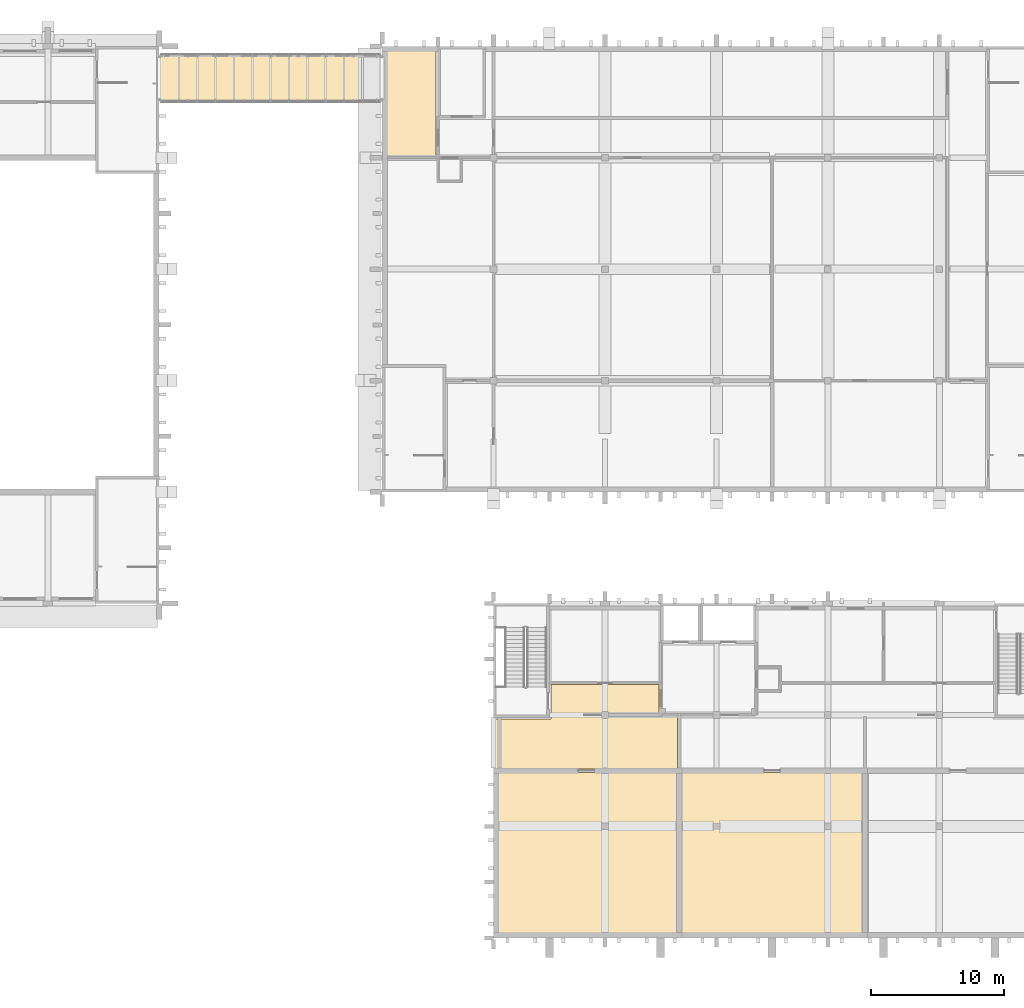
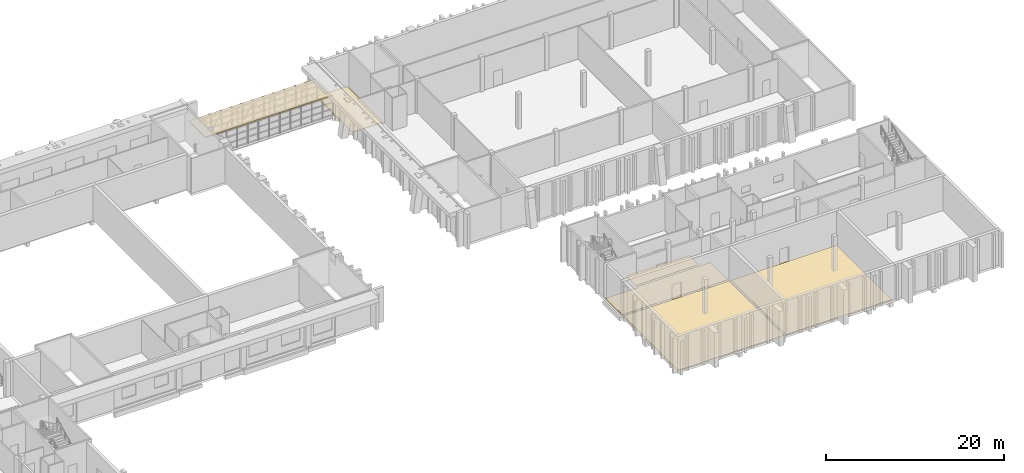
# One storey, part 82 of 86: 6 coverings.
"""IFC4 building model written with IfcOpenShell, lengths in metres."""

from ifc_helpers import new_model, si_unit, direction, frame, origin, place, context, subcontext, project, spatial, polyline, outline, extrude, material, layer, layer_set, type_object, element, save


model = new_model("IFC4")

# Units and contexts
model_context = context("Model", 3, precision=1e-05, world=origin(), true_north=direction((0.0, 1.0)))
body_context = subcontext(model_context, "Body", "Model", "MODEL_VIEW")
ifc_project = project(units=[si_unit("LENGTHUNIT", "METRE"), si_unit("AREAUNIT", "SQUARE_METRE"), si_unit("VOLUMEUNIT", "CUBIC_METRE"), si_unit("PLANEANGLEUNIT", "RADIAN"), si_unit("MASSUNIT", "GRAM", prefix="KILO")], contexts=[model_context])

# Site, building, storey
site_placement = place(None, origin())
site = spatial("IfcSite", under=ifc_project, at=site_placement, CompositionType="ELEMENT")
building_placement = place(site_placement, origin())
building = spatial("IfcBuilding", under=site, at=building_placement, Name="Kiln Court Media Centre", CompositionType="ELEMENT")
storey_placement = place(building_placement, frame((0.0, 0.0, 10.199951171875)))
storey = spatial("IfcBuildingStorey", under=building, at=storey_placement, Name="L02", CompositionType="ELEMENT", Elevation=10.199951171875)

# Coverings
ifc_material_1 = material(Name="Carpet tile")
ifc_layer_1 = layer(ifc_material_1, 0.014892578125)
ifc_layer_set_1 = layer_set([ifc_layer_1], Name="Carpet tile floor finish 15")
covering_type_1 = type_object("IfcCoveringType", Name="Carpet tile floor finish 15", PredefinedType="FLOORING", material=ifc_layer_set_1)
covering_1_placement = place(storey_placement, origin())
element("IfcCovering", 1, at=covering_1_placement, inside=storey, type_object=covering_type_1, Name="Radio Studio 1 floor finish", PredefinedType="FLOORING", context=body_context, shape_type="SweptSolid", body=[
    extrude(outline(polyline([(126.1201171875, 0.1201171875), (139.8798828125, 0.1201171875), (139.8798828125, 12.47998046875), (126.1201171875, 12.47998046875), (126.1201171875, 0.1201171875)])), origin(), (0.0, 0.0, 1.0), 0.01513671875),
])
covering_2_placement = place(storey_placement, origin())
element("IfcCovering", 2, at=covering_2_placement, inside=storey, type_object=covering_type_1, Name="Radio Studio 2 floor finish", PredefinedType="FLOORING", context=body_context, shape_type="SweptSolid", body=[
    extrude(outline(polyline([(140.1201171875, 0.1201171875), (153.8798828125, 0.1201171875), (153.8798828125, 12.47998046875), (140.1201171875, 12.47998046875), (140.1201171875, 0.1201171875)])), origin(), (0.0, 0.0, 1.0), 0.01513671875),
])
covering_3_placement = place(storey_placement, origin())
element("IfcCovering", 3, at=covering_3_placement, inside=storey, type_object=covering_type_1, Name="Radio Control Room 1 floor finish", PredefinedType="FLOORING", context=body_context, shape_type="SweptSolid", body=[
    extrude(outline(polyline([(139.8798828125, 16.679931640625), (130.320068359375, 16.679931640625), (130.320068359375, 16.47998046875), (126.1201171875, 16.47998046875), (126.1201171875, 12.719970703125), (139.8798828125, 12.719970703125), (139.8798828125, 16.679931640625)])), origin(), (0.0, 0.0, 1.0), 0.01513671875),
])
ifc_material_2 = material(Name="Steel ASTM A572 Gr 50 with insulated core", Category="steel")
ifc_layer_2 = layer(ifc_material_2, 0.14990234375)
ifc_layer_set_2 = layer_set([ifc_layer_2], Name="Insulated steel sandwich bridge roof 150")
covering_type_2 = type_object("IfcCoveringType", Name="Insulated steel sandwich bridge roof 150", PredefinedType="ROOFING", material=ifc_layer_set_2)
covering_4_placement = place(storey_placement, frame((0.0, 0.0, 2.675048828125)))
element("IfcCovering", 4, at=covering_4_placement, inside=storey, type_object=covering_type_2, Name="BR-4 roof", PredefinedType="ROOFING", context=body_context, shape_type="SweptSolid", body=[
    extrude(outline(polyline([(100.89990234375, 62.945068359375), (117.5, 62.945068359375), (117.5, 66.655029296875), (100.89990234375, 66.655029296875), (100.89990234375, 62.945068359375)])), origin(), (0.0, 0.0, 1.0), 0.14990234375),
])
ifc_material_3 = material(Name="Terrazzo")
ifc_layer_3 = layer(ifc_material_3, 0.02490234375)
ifc_layer_set_3 = layer_set([ifc_layer_3], Name="Polished terrazzo floor finish 25")
covering_type_3 = type_object("IfcCoveringType", Name="Polished terrazzo floor finish 25", PredefinedType="FLOORING", material=ifc_layer_set_3)
covering_5_placement = place(storey_placement, origin())
element("IfcCovering", 5, at=covering_5_placement, inside=storey, type_object=covering_type_3, Name="Bridge Lobby floor finish", PredefinedType="FLOORING", context=body_context, shape_type="SweptSolid", body=[
    extrude(outline(polyline([(117.719970703125, 58.919921875), (121.679931640625, 58.919921875), (121.679931640625, 67.080078125), (117.719970703125, 67.080078125), (117.719970703125, 58.919921875)])), origin(), (0.0, 0.0, 1.0), 0.025146484375),
])
covering_6_placement = place(storey_placement, origin())
element("IfcCovering", 6, at=covering_6_placement, inside=storey, type_object=covering_type_3, Name="Studio Corridor floor finish", PredefinedType="FLOORING", context=body_context, shape_type="SweptSolid", body=[
    extrude(outline(polyline([(130.320068359375, 16.919921875), (138.47998046875, 16.919921875), (138.47998046875, 19.080078125), (130.320068359375, 19.080078125), (130.320068359375, 16.919921875)])), origin(), (0.0, 0.0, 1.0), 0.025146484375),
])

save(model, "model.ifc")
